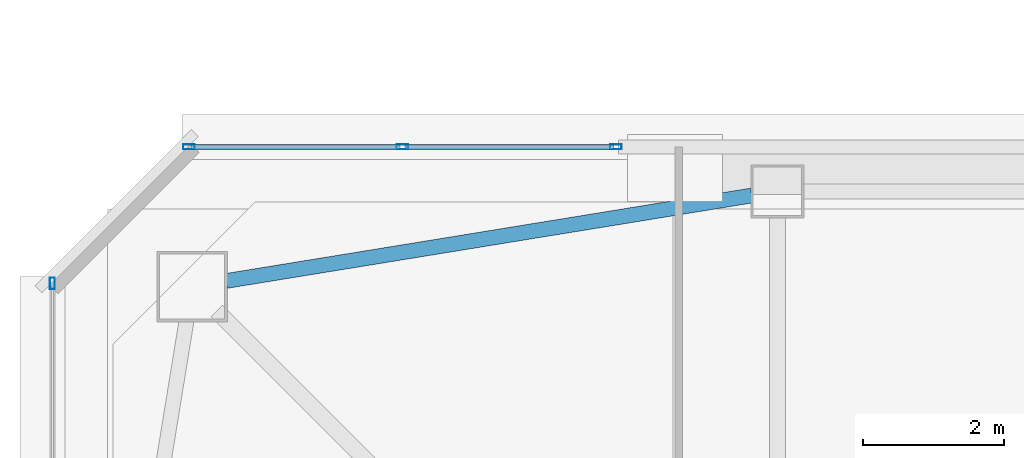
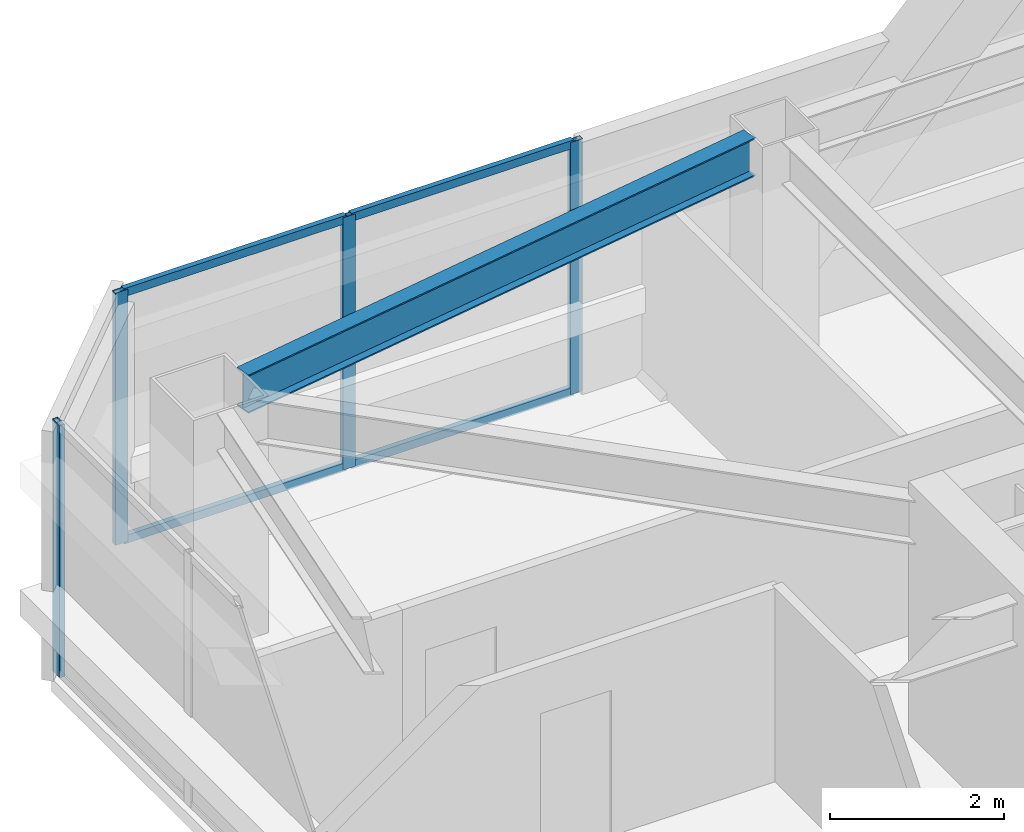
# One storey, part 14 of 39: 8 members, 1 beam, 2 elements without a shape of their own.
"""IFC4 building model written with IfcOpenShell, lengths in metres."""

from ifc_helpers import new_model, si_unit, direction, frame, origin, origin_2d, place, context, subcontext, project, spatial, hollow_rectangle, i_section, extrude, material, material_profile, profile_set, type_object, element, aggregate, save


model = new_model("IFC4")

# Units and contexts
model_context = context("Model", 3, precision=1e-05, world=origin(), true_north=direction((0.0, 1.0)))
body_context = subcontext(model_context, "Body", "Model", "MODEL_VIEW")
ifc_project = project(units=[si_unit("LENGTHUNIT", "METRE"), si_unit("AREAUNIT", "SQUARE_METRE"), si_unit("VOLUMEUNIT", "CUBIC_METRE"), si_unit("PLANEANGLEUNIT", "RADIAN"), si_unit("MASSUNIT", "GRAM", prefix="KILO")], contexts=[model_context])

# Site, building, storey
site_placement = place(None, origin())
site = spatial("IfcSite", under=ifc_project, at=site_placement, CompositionType="ELEMENT")
building_placement = place(site_placement, origin())
building = spatial("IfcBuilding", under=site, at=building_placement, Name="Tashvorn Skyway Center", CompositionType="ELEMENT")
storey_placement = place(building_placement, frame((0.0, 0.0, 239.699951171875)))
storey = spatial("IfcBuildingStorey", under=building, at=storey_placement, Name="L65", CompositionType="ELEMENT", Elevation=239.699951171875)

# Beam
ifc_material_1 = material(Name="Steel ASTM A992 Grade 50", Category="steel")
ifc_material_profile_1 = material_profile(ifc_material_1, i_section(OverallWidth=0.2109375, OverallDepth=0.5390625, WebThickness=0.01171875, FlangeThickness=0.018798828125, at=origin_2d()), Name="W21X73")
ifc_profile_set_1 = profile_set([ifc_material_profile_1], Name="Steel ASTM A992 Grade 50")
beam_type = type_object("IfcBeamType", Name="BM-SPANDREL-W21X73", PredefinedType="SPANDREL", material=ifc_profile_set_1)
beam_placement = place(storey_placement, frame((36.23486328125, 46.990478515625, 3.1005859375), z_axis=(-0.987033514444, -0.160514302677, 0.0), x_axis=(0.160514302677, -0.987033514444, 0.0)))
element("IfcBeam", 1, at=beam_placement, inside=storey, type_object=beam_type, Name="Tower 1 L65 Spandrel Beam 09", PredefinedType="SPANDREL", context=body_context, shape_type="SweptSolid", body=[
    extrude(i_section(OverallWidth=0.2109375, OverallDepth=0.5390625, WebThickness=0.01171875, FlangeThickness=0.018798828125, at=origin_2d()), origin(), (0.0, 0.0, 1.0), 7.544189453125),
])

# Curtain wall, member
ifc_material_2 = material(Name="Thermally broken bronze-anodized aluminium 6063-T6", Category="aluminium")
curtain_wall_type = type_object("IfcCurtainWallType", Name="CW-CW-Z5", PredefinedType="NOTDEFINED", material=ifc_material_2)
curtain_wall_1_placement = place(storey_placement, origin())
curtain_wall_1 = element("IfcCurtainWall", 2, at=curtain_wall_1_placement, inside=storey, type_object=curtain_wall_type, Name="Tower 1 L65 West Unitised Curtain Wall Glazing Group 3", PredefinedType="NOTDEFINED")
ifc_material_profile_2 = material_profile(ifc_material_2, hollow_rectangle(XDim=0.070068359375, YDim=0.1650390625, WallThickness=0.00390625, at=origin_2d()), Name="ALU-MULL-70x165")
ifc_profile_set_2 = profile_set([ifc_material_profile_2], Name="Thermally broken bronze-anodized aluminium 6063-T6")
member_type_1 = type_object("IfcMemberType", Name="CWM-CW-Z5", PredefinedType="MULLION", material=ifc_profile_set_2)
member_1_placement = place(storey_placement, frame((26.320068359375, 45.7451171875, 0.0), z_axis=(0.0, 0.0, 1.0), x_axis=(-1.0, 0.0, 0.0)))
member_1 = element("IfcMember", 3, at=member_1_placement, type_object=member_type_1, Name="CW-Z5 mullion 3", PredefinedType="MULLION", context=body_context, shape_type="SweptSolid", body=[
    extrude(hollow_rectangle(XDim=0.070068359375, YDim=0.1650390625, WallThickness=0.00390625, at=origin_2d()), origin(), (0.0, 0.0, 1.0), 3.550048828125),
])
aggregate(curtain_wall_1, [member_1])

# Curtain wall, members
curtain_wall_2_placement = place(storey_placement, origin())
curtain_wall_2 = element("IfcCurtainWall", 4, at=curtain_wall_2_placement, inside=storey, type_object=curtain_wall_type, Name="Tower 1 L65 North Unitised Curtain Wall Glazing Group 1", PredefinedType="NOTDEFINED")
member_2_placement = place(storey_placement, frame((28.2548828125, 47.679931640625, 0.0), z_axis=(0.0, 0.0, 1.0), x_axis=(0.0, 1.0, 0.0)))
member_2 = element("IfcMember", 5, at=member_2_placement, type_object=member_type_1, Name="CW-Z5 mullion 1", PredefinedType="MULLION", context=body_context, shape_type="SweptSolid", body=[
    extrude(hollow_rectangle(XDim=0.070068359375, YDim=0.1650390625, WallThickness=0.00390625, at=origin_2d()), origin(), (0.0, 0.0, 1.0), 3.550048828125),
])
member_3_placement = place(storey_placement, frame((31.2822265625, 47.679931640625, 0.0), z_axis=(0.0, 0.0, 1.0), x_axis=(0.0, 1.0, 0.0)))
member_3 = element("IfcMember", 6, at=member_3_placement, type_object=member_type_1, Name="CW-Z5 mullion 2", PredefinedType="MULLION", context=body_context, shape_type="SweptSolid", body=[
    extrude(hollow_rectangle(XDim=0.070068359375, YDim=0.1650390625, WallThickness=0.00390625, at=origin_2d()), origin(), (0.0, 0.0, 1.0), 3.550048828125),
])
member_4_placement = place(storey_placement, frame((34.309326171875, 47.679931640625, 0.0), z_axis=(0.0, 0.0, 1.0), x_axis=(0.0, 1.0, 0.0)))
member_4 = element("IfcMember", 7, at=member_4_placement, type_object=member_type_1, Name="CW-Z5 mullion 3", PredefinedType="MULLION", context=body_context, shape_type="SweptSolid", body=[
    extrude(hollow_rectangle(XDim=0.070068359375, YDim=0.1650390625, WallThickness=0.00390625, at=origin_2d()), origin(), (0.0, 0.0, 1.0), 3.550048828125),
])
ifc_material_profile_3 = material_profile(ifc_material_2, hollow_rectangle(XDim=0.070068359375, YDim=0.114990234375, WallThickness=0.00390625, at=origin_2d()), Name="ALU-TRAN-70x115")
ifc_profile_set_3 = profile_set([ifc_material_profile_3], Name="Thermally broken bronze-anodized aluminium 6063-T6")
member_type_2 = type_object("IfcMemberType", Name="CWT-CW-Z5", PredefinedType="USERDEFINED", material=ifc_profile_set_3)
member_5_placement = place(storey_placement, frame((28.2900390625, 47.679931640625, 0.03515625), z_axis=(1.0, 0.0, 0.0), x_axis=(0.0, 1.0, 0.0)))
member_5 = element("IfcMember", 8, at=member_5_placement, type_object=member_type_2, Name="CW-Z5 transom 1.1", ObjectType="TRANSOM", PredefinedType="USERDEFINED", context=body_context, shape_type="SweptSolid", body=[
    extrude(hollow_rectangle(XDim=0.070068359375, YDim=0.114990234375, WallThickness=0.00390625, at=origin_2d()), origin(), (0.0, 0.0, 1.0), 2.957275390625),
])
member_6_placement = place(storey_placement, frame((28.2900390625, 47.679931640625, 3.51513671875), z_axis=(1.0, 0.0, 0.0), x_axis=(0.0, 1.0, 0.0)))
member_6 = element("IfcMember", 9, at=member_6_placement, type_object=member_type_2, Name="CW-Z5 transom 1.2", ObjectType="TRANSOM", PredefinedType="USERDEFINED", context=body_context, shape_type="SweptSolid", body=[
    extrude(hollow_rectangle(XDim=0.070068359375, YDim=0.114990234375, WallThickness=0.00390625, at=origin_2d()), origin(), (0.0, 0.0, 1.0), 2.957275390625),
])
member_7_placement = place(storey_placement, frame((31.317138671875, 47.679931640625, 0.03515625), z_axis=(1.0, 0.0, 0.0), x_axis=(0.0, 1.0, 0.0)))
member_7 = element("IfcMember", 10, at=member_7_placement, type_object=member_type_2, Name="CW-Z5 transom 2.1", ObjectType="TRANSOM", PredefinedType="USERDEFINED", context=body_context, shape_type="SweptSolid", body=[
    extrude(hollow_rectangle(XDim=0.070068359375, YDim=0.114990234375, WallThickness=0.00390625, at=origin_2d()), origin(), (0.0, 0.0, 1.0), 2.957275390625),
])
member_8_placement = place(storey_placement, frame((31.317138671875, 47.679931640625, 3.51513671875), z_axis=(1.0, 0.0, 0.0), x_axis=(0.0, 1.0, 0.0)))
member_8 = element("IfcMember", 11, at=member_8_placement, type_object=member_type_2, Name="CW-Z5 transom 2.2", ObjectType="TRANSOM", PredefinedType="USERDEFINED", context=body_context, shape_type="SweptSolid", body=[
    extrude(hollow_rectangle(XDim=0.070068359375, YDim=0.114990234375, WallThickness=0.00390625, at=origin_2d()), origin(), (0.0, 0.0, 1.0), 2.957275390625),
])
aggregate(curtain_wall_2, [member_2, member_3, member_4, member_5, member_6, member_7, member_8])

save(model, "model.ifc")
